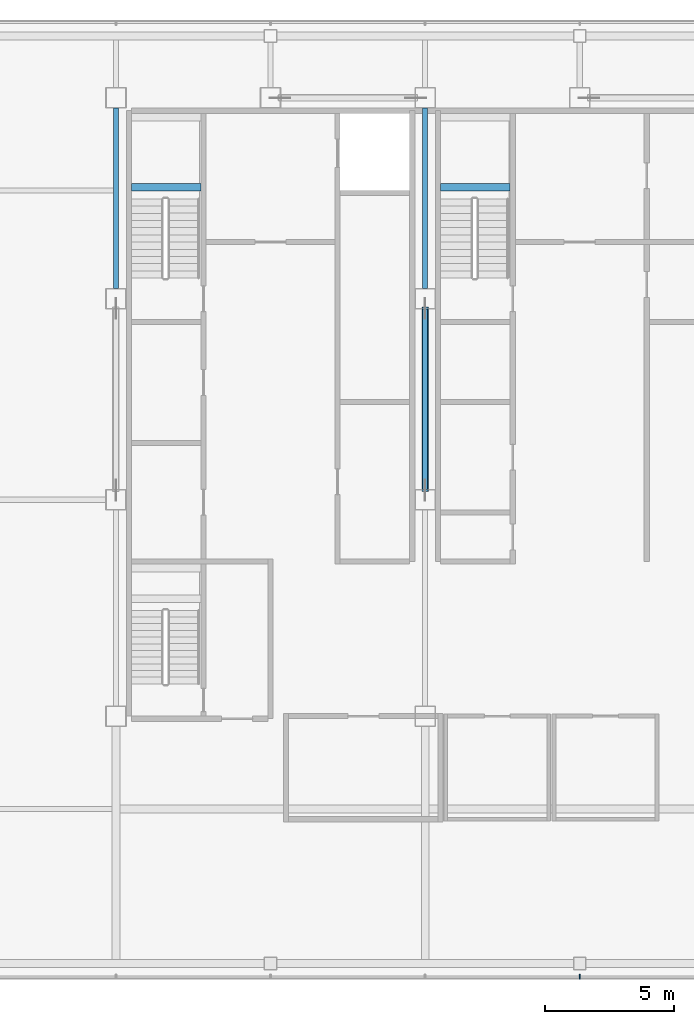
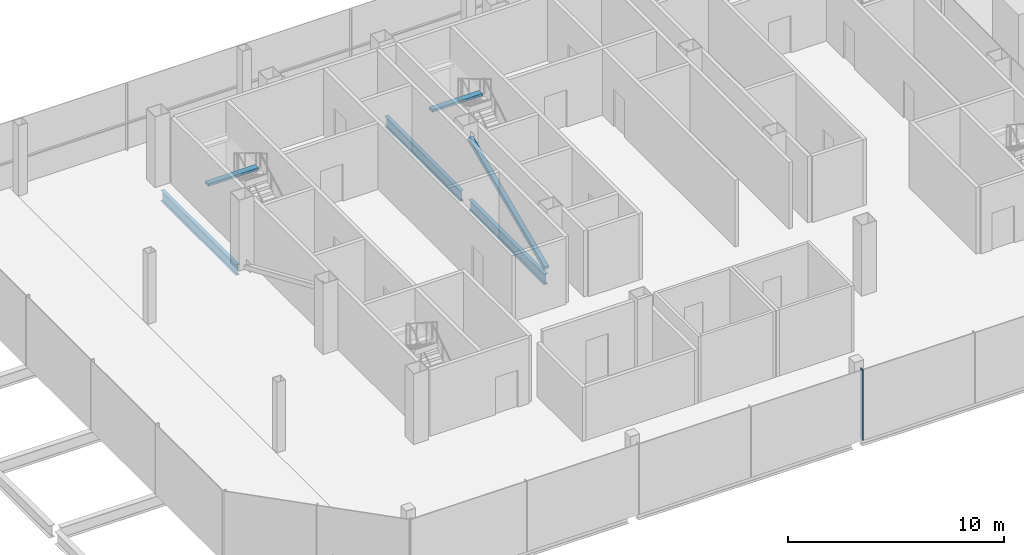
# One storey, part 6 of 17: 5 beams, 2 members, 1 element without a shape of its own.
"""IFC4 building model written with IfcOpenShell, lengths in metres."""

from ifc_helpers import new_model, si_unit, direction, frame, origin, origin_2d, place, context, subcontext, project, spatial, rectangle, hollow_rectangle, i_section, extrude, material, material_profile, profile_set, type_object, element, aggregate, save


model = new_model("IFC4")

# Units and contexts
model_context = context("Model", 3, precision=1e-05, world=origin(), true_north=direction((0.0, 1.0)))
body_context = subcontext(model_context, "Body", "Model", "MODEL_VIEW")
ifc_project = project(units=[si_unit("LENGTHUNIT", "METRE"), si_unit("AREAUNIT", "SQUARE_METRE"), si_unit("VOLUMEUNIT", "CUBIC_METRE"), si_unit("PLANEANGLEUNIT", "RADIAN"), si_unit("MASSUNIT", "GRAM", prefix="KILO")], contexts=[model_context])

# Site, building, storey
site_placement = place(None, origin())
site = spatial("IfcSite", under=ifc_project, at=site_placement, CompositionType="ELEMENT")
building_placement = place(site_placement, origin())
building = spatial("IfcBuilding", under=site, at=building_placement, Name="Sorahane Residences", CompositionType="ELEMENT")
storey_placement = place(building_placement, frame((0.0, 0.0, 341.800048828125)))
storey = spatial("IfcBuildingStorey", under=building, at=storey_placement, Name="L81", CompositionType="ELEMENT", Elevation=341.800048828125)

# Member
ifc_material_1 = material(Name="Steel Q355B", Category="steel")
ifc_material_profile_1 = material_profile(ifc_material_1, hollow_rectangle(XDim=0.25, YDim=0.25, WallThickness=0.011962890625, InnerFilletRadius=0.006103515625, OuterFilletRadius=0.01806640625, at=origin_2d()), Name="RHS 250x250x12")
ifc_profile_set_1 = profile_set([ifc_material_profile_1], Name="Steel Q355B")
member_type_1 = type_object("IfcMemberType", Name="Core brace RHS 250x250x12 Q355B", PredefinedType="BRACE", material=ifc_profile_set_1)
member_1_placement = place(storey_placement, frame((18.0, 30.3701171875, 0.11181640625), z_axis=(0.0, 0.916752232611, 0.399456310506), x_axis=(-1.0, 0.0, 0.0)))
element("IfcMember", 1, at=member_1_placement, inside=storey, type_object=member_type_1, Name="Core brace L81 x18-1", PredefinedType="BRACE", context=body_context, shape_type="SweptSolid", body=[
    extrude(hollow_rectangle(XDim=0.25, YDim=0.25, WallThickness=0.011962890625, InnerFilletRadius=0.006103515625, OuterFilletRadius=0.01806640625, at=origin_2d()), origin(), (0.0, 0.0, 1.0), 7.700927734375),
])

# Curtain wall, member
ifc_material_2 = material(Name="Dark low-e glass and black anodised aluminium", Category="aluminium")
curtain_wall_type = type_object("IfcCurtainWallType", Name="Curtain wall CW-6 Crown unitised wall", PredefinedType="NOTDEFINED", material=ifc_material_2)
curtain_wall_placement = place(storey_placement, origin())
curtain_wall = element("IfcCurtainWall", 2, at=curtain_wall_placement, inside=storey, type_object=curtain_wall_type, Name="CW-6 curtain wall L81 S1", PredefinedType="NOTDEFINED")
ifc_material_3 = material(Name="Black anodised aluminium", Category="aluminium")
ifc_material_profile_2 = material_profile(ifc_material_3, rectangle(XDim=0.199951171875, YDim=0.050048828125, at=origin_2d()), Name="Curtain wall mullion CW-6 black anodised aluminium 50x200")
ifc_profile_set_2 = profile_set([ifc_material_profile_2], Name="Black anodised aluminium")
member_type_2 = type_object("IfcMemberType", Name="Curtain wall mullion CW-6 black anodised aluminium 50x200", PredefinedType="MULLION", material=ifc_profile_set_2)
member_2_placement = place(storey_placement, frame((24.0, 11.47998046875, -0.25), z_axis=(0.0, 0.0, 1.0), x_axis=(0.0, -1.0, 0.0)))
member_2 = element("IfcMember", 3, at=member_2_placement, type_object=member_type_2, Name="CW-6 mullion L81 S1.5", PredefinedType="MULLION", context=body_context, shape_type="SweptSolid", body=[
    extrude(rectangle(XDim=0.199951171875, YDim=0.050048828125, at=origin_2d()), origin(), (0.0, 0.0, 1.0), 4.0),
])
aggregate(curtain_wall, [member_2])

# Beams
ifc_material_4 = material(Name="Concrete C40", Category="concrete")
ifc_material_profile_3 = material_profile(ifc_material_4, rectangle(XDim=0.300048828125, YDim=0.139892578125, at=origin_2d()), Name="300x140")
ifc_profile_set_3 = profile_set([ifc_material_profile_3], Name="Concrete C40")
beam_type_1 = type_object("IfcBeamType", Name="RC landing beam 300 x 140 Concrete C40", PredefinedType="BEAM", material=ifc_profile_set_3)
for number, where, z_axis, x_axis, name in (
    (4, (6.60009765625, 42.1298828125, 1.72998046875), (1.0, 0.0, 0.0), (0.0, 1.0, 0.0), "Landing beam"),
    (5, (18.60009765625, 42.1298828125, 1.72998046875), (1.0, 0.0, 0.0), (0.0, 1.0, 0.0), "Landing beam"),
):
    element("IfcBeam", number, at=place(storey_placement, frame(where, z_axis=z_axis, x_axis=x_axis)), inside=storey, type_object=beam_type_1, Name=name, PredefinedType="BEAM", context=body_context, shape_type="SweptSolid", body=[
        extrude(rectangle(XDim=0.300048828125, YDim=0.139892578125, at=origin_2d()), origin(), (0.0, 0.0, 1.0), 2.699951171875),
    ])
ifc_material_5 = material(Name="Steel Q355B", Category="steel")
ifc_material_profile_4 = material_profile(ifc_material_5, i_section(OverallWidth=0.199951171875, OverallDepth=0.60009765625, WebThickness=0.010986328125, FlangeThickness=0.01708984375, FilletRadius=0.02392578125, at=origin_2d()), Name="HN 600x200x11x17")
ifc_profile_set_4 = profile_set([ifc_material_profile_4], Name="Steel Q355B")
beam_type_2 = type_object("IfcBeamType", Name="Steel floor beam HN 600x200x11x17 Q355B", PredefinedType="BEAM", material=ifc_profile_set_4)
for number, where, z_axis, x_axis, name in (
    (6, (6.0, 38.199951171875, -0.550048828125), (0.0, 1.0, 0.0), (-1.0, 0.0, 0.0), "Beam L81 019"),
    (7, (18.0, 30.39990234375, -0.550048828125), (0.0, 1.0, 0.0), (-1.0, 0.0, 0.0), "Beam L81 024"),
    (8, (18.0, 38.199951171875, -0.550048828125), (0.0, 1.0, 0.0), (-1.0, 0.0, 0.0), "Beam L81 025"),
):
    element("IfcBeam", number, at=place(storey_placement, frame(where, z_axis=z_axis, x_axis=x_axis)), inside=storey, type_object=beam_type_2, Name=name, PredefinedType="BEAM", context=body_context, shape_type="SweptSolid", body=[
        extrude(i_section(OverallWidth=0.199951171875, OverallDepth=0.60009765625, WebThickness=0.010986328125, FlangeThickness=0.01708984375, FilletRadius=0.02392578125, at=origin_2d()), origin(), (0.0, 0.0, 1.0), 7.0),
    ])

save(model, "model.ifc")
